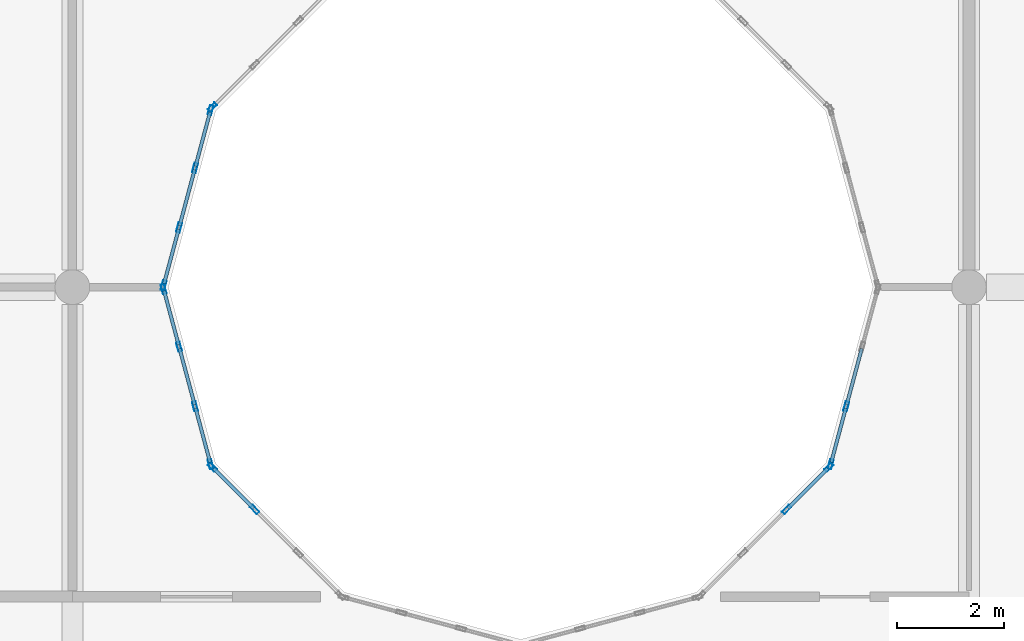
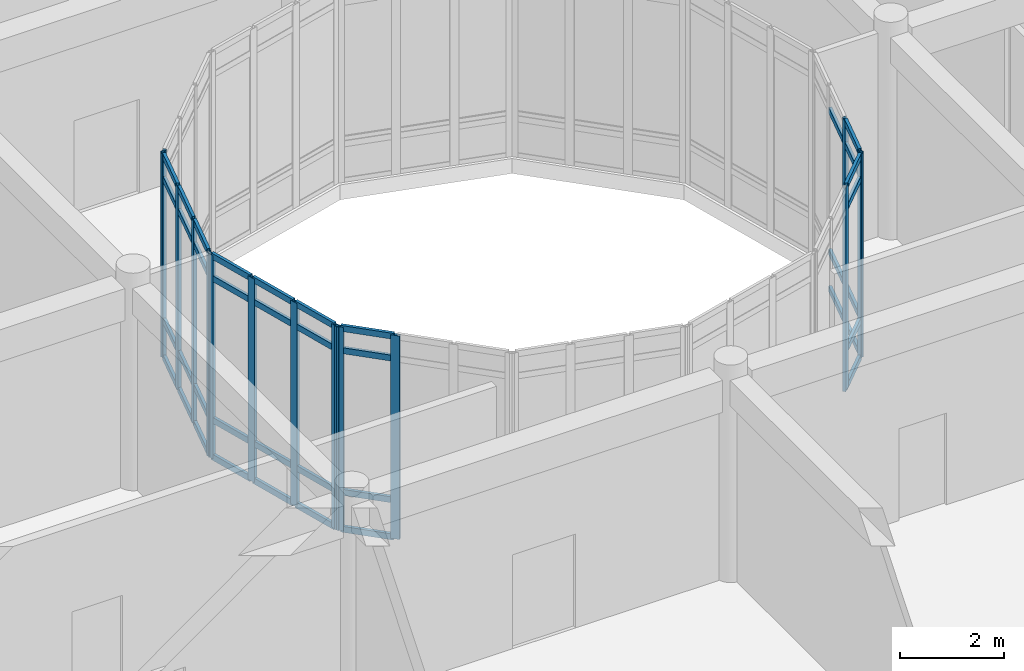
# One storey, part 32 of 134: 54 members, 6 elements without a shape of their own.
"""IFC4 building model written with IfcOpenShell, lengths in metres."""

from ifc_helpers import new_model, si_unit, direction, frame, origin, origin_2d, place, context, subcontext, project, spatial, hollow_rectangle, extrude, material, layer, layer_set, material_profile, profile_set, type_object, element, aggregate, save


model = new_model("IFC4")

# Units and contexts
model_context = context("Model", 3, precision=1e-05, world=origin(), true_north=direction((0.0, 1.0)))
body_context = subcontext(model_context, "Body", "Model", "MODEL_VIEW")
ifc_project = project(units=[si_unit("LENGTHUNIT", "METRE"), si_unit("AREAUNIT", "SQUARE_METRE"), si_unit("VOLUMEUNIT", "CUBIC_METRE"), si_unit("PLANEANGLEUNIT", "RADIAN"), si_unit("MASSUNIT", "GRAM", prefix="KILO")], contexts=[model_context])

# Site, building, storey
site_placement = place(None, origin())
site = spatial("IfcSite", under=ifc_project, at=site_placement, CompositionType="ELEMENT")
building_placement = place(site_placement, origin())
building = spatial("IfcBuilding", under=site, at=building_placement, Name="Bramfleet General Hospital", CompositionType="ELEMENT")
storey_placement = place(building_placement, frame((0.0, 0.0, 9.300048828125)))
storey = spatial("IfcBuildingStorey", under=building, at=storey_placement, Name="L02", CompositionType="ELEMENT", Elevation=9.300048828125)

# Curtain wall, members
ifc_material_1 = material(Name="Anodised aluminium and low-E triple glazing", Category="aluminium")
ifc_layer_1 = layer(ifc_material_1, 0.179931640625, Name="CWT-CW-13")
ifc_layer_set_1 = layer_set([ifc_layer_1], Name="Anodised aluminium and low-E triple glazing")
curtain_wall_type_1 = type_object("IfcCurtainWallType", Name="CWT-CW-13", PredefinedType="USERDEFINED", material=ifc_layer_set_1)
curtain_wall_1_placement = place(storey_placement, origin())
curtain_wall_1 = element("IfcCurtainWall", 1, at=curtain_wall_1_placement, inside=storey, type_object=curtain_wall_type_1, Name="L02 West Clinical Light Court Curtain Wall 1.1", ObjectType="Stick curtain wall", PredefinedType="USERDEFINED")
ifc_material_2 = material(Name="Anodised aluminium EN AW-6060", Category="aluminium")
ifc_material_profile_1 = material_profile(ifc_material_2, hollow_rectangle(XDim=0.070068359375, YDim=0.179931640625, WallThickness=0.00390625, at=origin_2d()), Name="ALU 180x70x4.0")
ifc_profile_set_1 = profile_set([ifc_material_profile_1], Name="Anodised aluminium EN AW-6060")
member_type_1 = type_object("IfcMemberType", Name="CWM-ALU180", PredefinedType="MULLION", material=ifc_profile_set_1)
member_1_placement = place(storey_placement, frame((18.509033203125, 83.96630859375, 0.0), z_axis=(0.0, 0.0, 1.0), x_axis=(0.965899136003, 0.25891863407, 0.0)))
member_1 = element("IfcMember", 2, at=member_1_placement, type_object=member_type_1, Name="CW-13 mullion 1", PredefinedType="MULLION", context=body_context, shape_type="SweptSolid", body=[
    extrude(hollow_rectangle(XDim=0.070068359375, YDim=0.179931640625, WallThickness=0.00390625, at=origin_2d()), origin(), (0.0, 0.0, 1.0), 4.77001953125),
])
member_2_placement = place(storey_placement, frame((18.79931640625, 82.88330078125, 0.0), z_axis=(0.0, 0.0, 1.0), x_axis=(0.965899136003, 0.25891863407, 0.0)))
member_2 = element("IfcMember", 3, at=member_2_placement, type_object=member_type_1, Name="CW-13 mullion 2", PredefinedType="MULLION", context=body_context, shape_type="SweptSolid", body=[
    extrude(hollow_rectangle(XDim=0.070068359375, YDim=0.179931640625, WallThickness=0.00390625, at=origin_2d()), origin(), (0.0, 0.0, 1.0), 4.77001953125),
])
member_3_placement = place(storey_placement, frame((19.0986328125, 81.7666015625, 0.0), z_axis=(0.0, 0.0, 1.0), x_axis=(0.965899136003, 0.25891863407, 0.0)))
member_3 = element("IfcMember", 4, at=member_3_placement, type_object=member_type_1, Name="CW-13 mullion 3", PredefinedType="MULLION", context=body_context, shape_type="SweptSolid", body=[
    extrude(hollow_rectangle(XDim=0.070068359375, YDim=0.179931640625, WallThickness=0.00390625, at=origin_2d()), origin(), (0.0, 0.0, 1.0), 4.77001953125),
])
member_4_placement = place(storey_placement, frame((19.388916015625, 80.683837890625, 0.0), z_axis=(0.0, 0.0, 1.0), x_axis=(0.965899136003, 0.25891863407, 0.0)))
member_4 = element("IfcMember", 5, at=member_4_placement, type_object=member_type_1, Name="CW-13 mullion 4", PredefinedType="MULLION", context=body_context, shape_type="SweptSolid", body=[
    extrude(hollow_rectangle(XDim=0.070068359375, YDim=0.179931640625, WallThickness=0.00390625, at=origin_2d()), origin(), (0.0, 0.0, 1.0), 4.77001953125),
])

ifc_layer_2 = layer(ifc_material_1, 0.179931640625, Name="CWT-CW-14")
ifc_layer_set_2 = layer_set([ifc_layer_2], Name="Anodised aluminium and low-E triple glazing")
curtain_wall_type_2 = type_object("IfcCurtainWallType", Name="CWT-CW-14", PredefinedType="USERDEFINED", material=ifc_layer_set_2)
curtain_wall_2_placement = place(storey_placement, origin())
curtain_wall_2 = element("IfcCurtainWall", 6, at=curtain_wall_2_placement, inside=storey, type_object=curtain_wall_type_2, Name="L02 West Clinical Light Court Curtain Wall 2.1", ObjectType="Stick curtain wall", PredefinedType="USERDEFINED")
member_5_placement = place(storey_placement, frame((19.4228515625, 80.625244140625, 0.0), z_axis=(0.0, 0.0, 1.0), x_axis=(0.707106781187, 0.707106781187, 0.0)))
member_5 = element("IfcMember", 7, at=member_5_placement, type_object=member_type_1, Name="CW-14 mullion 1", PredefinedType="MULLION", context=body_context, shape_type="SweptSolid", body=[
    extrude(hollow_rectangle(XDim=0.070068359375, YDim=0.179931640625, WallThickness=0.00390625, at=origin_2d()), origin(), (0.0, 0.0, 1.0), 4.77001953125),
])
member_6_placement = place(storey_placement, frame((20.21533203125, 79.832763671875, 0.0), z_axis=(0.0, 0.0, 1.0), x_axis=(0.707106781187, 0.707106781187, 0.0)))
member_6 = element("IfcMember", 8, at=member_6_placement, type_object=member_type_1, Name="CW-14 mullion 2", PredefinedType="MULLION", context=body_context, shape_type="SweptSolid", body=[
    extrude(hollow_rectangle(XDim=0.070068359375, YDim=0.179931640625, WallThickness=0.00390625, at=origin_2d()), origin(), (0.0, 0.0, 1.0), 4.77001953125),
])

ifc_layer_3 = layer(ifc_material_1, 0.179931640625, Name="CWT-CW-17")
ifc_layer_set_3 = layer_set([ifc_layer_3], Name="Anodised aluminium and low-E triple glazing")
curtain_wall_type_3 = type_object("IfcCurtainWallType", Name="CWT-CW-17", PredefinedType="USERDEFINED", material=ifc_layer_set_3)
curtain_wall_3_placement = place(storey_placement, origin())
curtain_wall_3 = element("IfcCurtainWall", 9, at=curtain_wall_3_placement, inside=storey, type_object=curtain_wall_type_3, Name="L02 West Clinical Light Court Curtain Wall 5.1", ObjectType="Stick curtain wall", PredefinedType="USERDEFINED")
member_7_placement = place(storey_placement, frame((30.1845703125, 79.832763671875, 0.0), z_axis=(0.0, 0.0, 1.0), x_axis=(-0.707106781187, 0.707106781187, 0.0)))
member_7 = element("IfcMember", 10, at=member_7_placement, type_object=member_type_1, Name="CW-17 mullion 3", PredefinedType="MULLION", context=body_context, shape_type="SweptSolid", body=[
    extrude(hollow_rectangle(XDim=0.070068359375, YDim=0.179931640625, WallThickness=0.00390625, at=origin_2d()), origin(), (0.0, 0.0, 1.0), 4.77001953125),
])
member_8_placement = place(storey_placement, frame((30.977294921875, 80.625244140625, 0.0), z_axis=(0.0, 0.0, 1.0), x_axis=(-0.707106781187, 0.707106781187, 0.0)))
member_8 = element("IfcMember", 11, at=member_8_placement, type_object=member_type_1, Name="CW-17 mullion 4", PredefinedType="MULLION", context=body_context, shape_type="SweptSolid", body=[
    extrude(hollow_rectangle(XDim=0.070068359375, YDim=0.179931640625, WallThickness=0.00390625, at=origin_2d()), origin(), (0.0, 0.0, 1.0), 4.77001953125),
])

ifc_layer_4 = layer(ifc_material_1, 0.179931640625, Name="CWT-CW-18")
ifc_layer_set_4 = layer_set([ifc_layer_4], Name="Anodised aluminium and low-E triple glazing")
curtain_wall_type_4 = type_object("IfcCurtainWallType", Name="CWT-CW-18", PredefinedType="USERDEFINED", material=ifc_layer_set_4)
curtain_wall_4_placement = place(storey_placement, origin())
curtain_wall_4 = element("IfcCurtainWall", 12, at=curtain_wall_4_placement, inside=storey, type_object=curtain_wall_type_4, Name="L02 West Clinical Light Court Curtain Wall 6.1", ObjectType="Stick curtain wall", PredefinedType="USERDEFINED")
member_9_placement = place(storey_placement, frame((31.010986328125, 80.683837890625, 0.0), z_axis=(0.0, 0.0, 1.0), x_axis=(-0.965899136003, 0.25891863407, 0.0)))
member_9 = element("IfcMember", 13, at=member_9_placement, type_object=member_type_1, Name="CW-18 mullion 1", PredefinedType="MULLION", context=body_context, shape_type="SweptSolid", body=[
    extrude(hollow_rectangle(XDim=0.070068359375, YDim=0.179931640625, WallThickness=0.00390625, at=origin_2d()), origin(), (0.0, 0.0, 1.0), 4.77001953125),
])
member_10_placement = place(storey_placement, frame((31.30126953125, 81.7666015625, 0.0), z_axis=(0.0, 0.0, 1.0), x_axis=(-0.965899136003, 0.25891863407, 0.0)))
member_10 = element("IfcMember", 14, at=member_10_placement, type_object=member_type_1, Name="CW-18 mullion 2", PredefinedType="MULLION", context=body_context, shape_type="SweptSolid", body=[
    extrude(hollow_rectangle(XDim=0.070068359375, YDim=0.179931640625, WallThickness=0.00390625, at=origin_2d()), origin(), (0.0, 0.0, 1.0), 4.77001953125),
])

# Curtain wall, member
ifc_layer_5 = layer(ifc_material_1, 0.179931640625, Name="CWT-CW-15")
ifc_layer_set_5 = layer_set([ifc_layer_5], Name="Anodised aluminium and low-E triple glazing")
curtain_wall_type_5 = type_object("IfcCurtainWallType", Name="CWT-CW-15", PredefinedType="USERDEFINED", material=ifc_layer_set_5)
curtain_wall_5_placement = place(storey_placement, origin())
curtain_wall_5 = element("IfcCurtainWall", 15, at=curtain_wall_5_placement, inside=storey, type_object=curtain_wall_type_5, Name="L02 West Clinical Light Court Curtain Wall 11.1", ObjectType="Stick curtain wall", PredefinedType="USERDEFINED")
member_11_placement = place(storey_placement, frame((19.4228515625, 87.374755859375, 0.0), z_axis=(0.0, 0.0, 1.0), x_axis=(0.707106781187, -0.707106781187, 0.0)))
member_11 = element("IfcMember", 16, at=member_11_placement, type_object=member_type_1, Name="CW-15 mullion 4", PredefinedType="MULLION", context=body_context, shape_type="SweptSolid", body=[
    extrude(hollow_rectangle(XDim=0.070068359375, YDim=0.179931640625, WallThickness=0.00390625, at=origin_2d()), origin(), (0.0, 0.0, 1.0), 4.77001953125),
])
aggregate(curtain_wall_5, [member_11])

# Curtain wall, members
ifc_layer_6 = layer(ifc_material_1, 0.179931640625, Name="CWT-CW-16")
ifc_layer_set_6 = layer_set([ifc_layer_6], Name="Anodised aluminium and low-E triple glazing")
curtain_wall_type_6 = type_object("IfcCurtainWallType", Name="CWT-CW-16", PredefinedType="USERDEFINED", material=ifc_layer_set_6)
curtain_wall_6_placement = place(storey_placement, origin())
curtain_wall_6 = element("IfcCurtainWall", 17, at=curtain_wall_6_placement, inside=storey, type_object=curtain_wall_type_6, Name="L02 West Clinical Light Court Curtain Wall 12.1", ObjectType="Stick curtain wall", PredefinedType="USERDEFINED")
member_12_placement = place(storey_placement, frame((19.388916015625, 87.316162109375, 0.0), z_axis=(0.0, 0.0, 1.0), x_axis=(0.965899136003, -0.25891863407, 0.0)))
member_12 = element("IfcMember", 18, at=member_12_placement, type_object=member_type_1, Name="CW-16 mullion 1", PredefinedType="MULLION", context=body_context, shape_type="SweptSolid", body=[
    extrude(hollow_rectangle(XDim=0.070068359375, YDim=0.179931640625, WallThickness=0.00390625, at=origin_2d()), origin(), (0.0, 0.0, 1.0), 4.77001953125),
])
member_13_placement = place(storey_placement, frame((19.0986328125, 86.2333984375, 0.0), z_axis=(0.0, 0.0, 1.0), x_axis=(0.965899136003, -0.25891863407, 0.0)))
member_13 = element("IfcMember", 19, at=member_13_placement, type_object=member_type_1, Name="CW-16 mullion 2", PredefinedType="MULLION", context=body_context, shape_type="SweptSolid", body=[
    extrude(hollow_rectangle(XDim=0.070068359375, YDim=0.179931640625, WallThickness=0.00390625, at=origin_2d()), origin(), (0.0, 0.0, 1.0), 4.77001953125),
])
member_14_placement = place(storey_placement, frame((18.79931640625, 85.11669921875, 0.0), z_axis=(0.0, 0.0, 1.0), x_axis=(0.965899136003, -0.25891863407, 0.0)))
member_14 = element("IfcMember", 20, at=member_14_placement, type_object=member_type_1, Name="CW-16 mullion 3", PredefinedType="MULLION", context=body_context, shape_type="SweptSolid", body=[
    extrude(hollow_rectangle(XDim=0.070068359375, YDim=0.179931640625, WallThickness=0.00390625, at=origin_2d()), origin(), (0.0, 0.0, 1.0), 4.77001953125),
])
member_15_placement = place(storey_placement, frame((18.509033203125, 84.03369140625, 0.0), z_axis=(0.0, 0.0, 1.0), x_axis=(0.965899136003, -0.25891863407, 0.0)))
member_15 = element("IfcMember", 21, at=member_15_placement, type_object=member_type_1, Name="CW-16 mullion 4", PredefinedType="MULLION", context=body_context, shape_type="SweptSolid", body=[
    extrude(hollow_rectangle(XDim=0.070068359375, YDim=0.179931640625, WallThickness=0.00390625, at=origin_2d()), origin(), (0.0, 0.0, 1.0), 4.77001953125),
])

# Member
ifc_material_profile_2 = material_profile(ifc_material_2, hollow_rectangle(XDim=0.06494140625, YDim=0.139892578125, WallThickness=0.00390625, at=origin_2d()), Name="ALU 140x65x4.0")
ifc_profile_set_2 = profile_set([ifc_material_profile_2], Name="Anodised aluminium EN AW-6060")
member_type_2 = type_object("IfcMemberType", Name="CWT-ALU140", PredefinedType="USERDEFINED", material=ifc_profile_set_2)
member_16_placement = place(storey_placement, frame((18.51806640625, 83.932373046875, 0.032470703125), z_axis=(0.259007003236, -0.965875443458, 0.0), x_axis=(0.965875443458, 0.259007003236, 0.0)))
member_16 = element("IfcMember", 22, at=member_16_placement, type_object=member_type_2, Name="CW-13 transom 1.1", ObjectType="TRANSOM", PredefinedType="USERDEFINED", context=body_context, shape_type="SweptSolid", body=[
    extrude(hollow_rectangle(XDim=0.06494140625, YDim=0.139892578125, WallThickness=0.00390625, at=origin_2d()), origin(), (0.0, 0.0, 1.0), 1.051025390625),
])

member_17_placement = place(storey_placement, frame((18.51806640625, 83.932373046875, 0.89990234375), z_axis=(0.259007003236, -0.965875443458, 0.0), x_axis=(0.965875443458, 0.259007003236, 0.0)))
member_17 = element("IfcMember", 23, at=member_17_placement, type_object=member_type_2, Name="CW-13 transom 1.2", ObjectType="TRANSOM", PredefinedType="USERDEFINED", context=body_context, shape_type="SweptSolid", body=[
    extrude(hollow_rectangle(XDim=0.06494140625, YDim=0.139892578125, WallThickness=0.00390625, at=origin_2d()), origin(), (0.0, 0.0, 1.0), 1.051025390625),
])

member_18_placement = place(storey_placement, frame((18.51806640625, 83.932373046875, 4.219970703125), z_axis=(0.259007003236, -0.965875443458, 0.0), x_axis=(0.965875443458, 0.259007003236, 0.0)))
member_18 = element("IfcMember", 24, at=member_18_placement, type_object=member_type_2, Name="CW-13 transom 1.3", ObjectType="TRANSOM", PredefinedType="USERDEFINED", context=body_context, shape_type="SweptSolid", body=[
    extrude(hollow_rectangle(XDim=0.06494140625, YDim=0.139892578125, WallThickness=0.00390625, at=origin_2d()), origin(), (0.0, 0.0, 1.0), 1.051025390625),
])

member_19_placement = place(storey_placement, frame((18.51806640625, 83.932373046875, 4.737548828125), z_axis=(0.259007003236, -0.965875443458, 0.0), x_axis=(0.965875443458, 0.259007003236, 0.0)))
member_19 = element("IfcMember", 25, at=member_19_placement, type_object=member_type_2, Name="CW-13 transom 1.4", ObjectType="TRANSOM", PredefinedType="USERDEFINED", context=body_context, shape_type="SweptSolid", body=[
    extrude(hollow_rectangle(XDim=0.06494140625, YDim=0.139892578125, WallThickness=0.00390625, at=origin_2d()), origin(), (0.0, 0.0, 1.0), 1.051025390625),
])

member_20_placement = place(storey_placement, frame((18.808349609375, 82.849609375, 0.032470703125), z_axis=(0.258949558843, -0.965890845787, 0.0), x_axis=(0.965890845787, 0.258949558843, 0.0)))
member_20 = element("IfcMember", 26, at=member_20_placement, type_object=member_type_2, Name="CW-13 transom 2.1", ObjectType="TRANSOM", PredefinedType="USERDEFINED", context=body_context, shape_type="SweptSolid", body=[
    extrude(hollow_rectangle(XDim=0.06494140625, YDim=0.139892578125, WallThickness=0.00390625, at=origin_2d()), origin(), (0.0, 0.0, 1.0), 1.086181640625),
])

member_21_placement = place(storey_placement, frame((18.808349609375, 82.849609375, 0.89990234375), z_axis=(0.258949558843, -0.965890845787, 0.0), x_axis=(0.965890845787, 0.258949558843, 0.0)))
member_21 = element("IfcMember", 27, at=member_21_placement, type_object=member_type_2, Name="CW-13 transom 2.2", ObjectType="TRANSOM", PredefinedType="USERDEFINED", context=body_context, shape_type="SweptSolid", body=[
    extrude(hollow_rectangle(XDim=0.06494140625, YDim=0.139892578125, WallThickness=0.00390625, at=origin_2d()), origin(), (0.0, 0.0, 1.0), 1.086181640625),
])

member_22_placement = place(storey_placement, frame((18.808349609375, 82.849609375, 4.219970703125), z_axis=(0.258949558843, -0.965890845787, 0.0), x_axis=(0.965890845787, 0.258949558843, 0.0)))
member_22 = element("IfcMember", 28, at=member_22_placement, type_object=member_type_2, Name="CW-13 transom 2.3", ObjectType="TRANSOM", PredefinedType="USERDEFINED", context=body_context, shape_type="SweptSolid", body=[
    extrude(hollow_rectangle(XDim=0.06494140625, YDim=0.139892578125, WallThickness=0.00390625, at=origin_2d()), origin(), (0.0, 0.0, 1.0), 1.086181640625),
])

member_23_placement = place(storey_placement, frame((18.808349609375, 82.849609375, 4.737548828125), z_axis=(0.258949558843, -0.965890845787, 0.0), x_axis=(0.965890845787, 0.258949558843, 0.0)))
member_23 = element("IfcMember", 29, at=member_23_placement, type_object=member_type_2, Name="CW-13 transom 2.4", ObjectType="TRANSOM", PredefinedType="USERDEFINED", context=body_context, shape_type="SweptSolid", body=[
    extrude(hollow_rectangle(XDim=0.06494140625, YDim=0.139892578125, WallThickness=0.00390625, at=origin_2d()), origin(), (0.0, 0.0, 1.0), 1.086181640625),
])

member_24_placement = place(storey_placement, frame((19.107666015625, 81.73291015625, 0.032470703125), z_axis=(0.258948903342, -0.965891021523, 0.0), x_axis=(0.965891021523, 0.258948903342, 0.0)))
member_24 = element("IfcMember", 30, at=member_24_placement, type_object=member_type_2, Name="CW-13 transom 3.1", ObjectType="TRANSOM", PredefinedType="USERDEFINED", context=body_context, shape_type="SweptSolid", body=[
    extrude(hollow_rectangle(XDim=0.06494140625, YDim=0.139892578125, WallThickness=0.00390625, at=origin_2d()), origin(), (0.0, 0.0, 1.0), 1.05126953125),
])

member_25_placement = place(storey_placement, frame((19.107666015625, 81.73291015625, 0.89990234375), z_axis=(0.258948903342, -0.965891021523, 0.0), x_axis=(0.965891021523, 0.258948903342, 0.0)))
member_25 = element("IfcMember", 31, at=member_25_placement, type_object=member_type_2, Name="CW-13 transom 3.2", ObjectType="TRANSOM", PredefinedType="USERDEFINED", context=body_context, shape_type="SweptSolid", body=[
    extrude(hollow_rectangle(XDim=0.06494140625, YDim=0.139892578125, WallThickness=0.00390625, at=origin_2d()), origin(), (0.0, 0.0, 1.0), 1.05126953125),
])

member_26_placement = place(storey_placement, frame((19.107666015625, 81.73291015625, 4.219970703125), z_axis=(0.258948903342, -0.965891021523, 0.0), x_axis=(0.965891021523, 0.258948903342, 0.0)))
member_26 = element("IfcMember", 32, at=member_26_placement, type_object=member_type_2, Name="CW-13 transom 3.3", ObjectType="TRANSOM", PredefinedType="USERDEFINED", context=body_context, shape_type="SweptSolid", body=[
    extrude(hollow_rectangle(XDim=0.06494140625, YDim=0.139892578125, WallThickness=0.00390625, at=origin_2d()), origin(), (0.0, 0.0, 1.0), 1.05126953125),
])

member_27_placement = place(storey_placement, frame((19.107666015625, 81.73291015625, 4.737548828125), z_axis=(0.258948903342, -0.965891021523, 0.0), x_axis=(0.965891021523, 0.258948903342, 0.0)))
member_27 = element("IfcMember", 33, at=member_27_placement, type_object=member_type_2, Name="CW-13 transom 3.4", ObjectType="TRANSOM", PredefinedType="USERDEFINED", context=body_context, shape_type="SweptSolid", body=[
    extrude(hollow_rectangle(XDim=0.06494140625, YDim=0.139892578125, WallThickness=0.00390625, at=origin_2d()), origin(), (0.0, 0.0, 1.0), 1.05126953125),
])

aggregate(curtain_wall_1, [member_1, member_2, member_3, member_4, member_16, member_17, member_18, member_19, member_20, member_21, member_22, member_23, member_24, member_25, member_26, member_27])

member_28_placement = place(storey_placement, frame((19.447509765625, 80.6005859375, 0.032470703125), z_axis=(0.707106781187, -0.707106781187, 0.0), x_axis=(0.707106781187, 0.707106781187, 0.0)))
member_28 = element("IfcMember", 34, at=member_28_placement, type_object=member_type_2, Name="CW-14 transom 1.1", ObjectType="TRANSOM", PredefinedType="USERDEFINED", context=body_context, shape_type="SweptSolid", body=[
    extrude(hollow_rectangle(XDim=0.06494140625, YDim=0.139892578125, WallThickness=0.00390625, at=origin_2d()), origin(), (0.0, 0.0, 1.0), 1.051025390625),
])

member_29_placement = place(storey_placement, frame((19.447509765625, 80.6005859375, 0.89990234375), z_axis=(0.707106781187, -0.707106781187, 0.0), x_axis=(0.707106781187, 0.707106781187, 0.0)))
member_29 = element("IfcMember", 35, at=member_29_placement, type_object=member_type_2, Name="CW-14 transom 1.2", ObjectType="TRANSOM", PredefinedType="USERDEFINED", context=body_context, shape_type="SweptSolid", body=[
    extrude(hollow_rectangle(XDim=0.06494140625, YDim=0.139892578125, WallThickness=0.00390625, at=origin_2d()), origin(), (0.0, 0.0, 1.0), 1.051025390625),
])

member_30_placement = place(storey_placement, frame((19.447509765625, 80.6005859375, 4.219970703125), z_axis=(0.707106781187, -0.707106781187, 0.0), x_axis=(0.707106781187, 0.707106781187, 0.0)))
member_30 = element("IfcMember", 36, at=member_30_placement, type_object=member_type_2, Name="CW-14 transom 1.3", ObjectType="TRANSOM", PredefinedType="USERDEFINED", context=body_context, shape_type="SweptSolid", body=[
    extrude(hollow_rectangle(XDim=0.06494140625, YDim=0.139892578125, WallThickness=0.00390625, at=origin_2d()), origin(), (0.0, 0.0, 1.0), 1.051025390625),
])

member_31_placement = place(storey_placement, frame((19.447509765625, 80.6005859375, 4.737548828125), z_axis=(0.707106781187, -0.707106781187, 0.0), x_axis=(0.707106781187, 0.707106781187, 0.0)))
member_31 = element("IfcMember", 37, at=member_31_placement, type_object=member_type_2, Name="CW-14 transom 1.4", ObjectType="TRANSOM", PredefinedType="USERDEFINED", context=body_context, shape_type="SweptSolid", body=[
    extrude(hollow_rectangle(XDim=0.06494140625, YDim=0.139892578125, WallThickness=0.00390625, at=origin_2d()), origin(), (0.0, 0.0, 1.0), 1.051025390625),
])

aggregate(curtain_wall_2, [member_5, member_6, member_28, member_29, member_30, member_31])

member_32_placement = place(storey_placement, frame((30.20947265625, 79.857421875, 0.032470703125), z_axis=(0.706990604933, 0.707222938356, 0.0), x_axis=(-0.707222938356, 0.706990604933, 0.0)))
member_32 = element("IfcMember", 38, at=member_32_placement, type_object=member_type_2, Name="CW-17 transom 3.1", ObjectType="TRANSOM", PredefinedType="USERDEFINED", context=body_context, shape_type="SweptSolid", body=[
    extrude(hollow_rectangle(XDim=0.06494140625, YDim=0.139892578125, WallThickness=0.00390625, at=origin_2d()), origin(), (0.0, 0.0, 1.0), 1.05078125),
])

member_33_placement = place(storey_placement, frame((30.20947265625, 79.857421875, 0.89990234375), z_axis=(0.706990604933, 0.707222938356, 0.0), x_axis=(-0.707222938356, 0.706990604933, 0.0)))
member_33 = element("IfcMember", 39, at=member_33_placement, type_object=member_type_2, Name="CW-17 transom 3.2", ObjectType="TRANSOM", PredefinedType="USERDEFINED", context=body_context, shape_type="SweptSolid", body=[
    extrude(hollow_rectangle(XDim=0.06494140625, YDim=0.139892578125, WallThickness=0.00390625, at=origin_2d()), origin(), (0.0, 0.0, 1.0), 1.05078125),
])

member_34_placement = place(storey_placement, frame((30.20947265625, 79.857421875, 4.219970703125), z_axis=(0.706990604933, 0.707222938356, 0.0), x_axis=(-0.707222938356, 0.706990604933, 0.0)))
member_34 = element("IfcMember", 40, at=member_34_placement, type_object=member_type_2, Name="CW-17 transom 3.3", ObjectType="TRANSOM", PredefinedType="USERDEFINED", context=body_context, shape_type="SweptSolid", body=[
    extrude(hollow_rectangle(XDim=0.06494140625, YDim=0.139892578125, WallThickness=0.00390625, at=origin_2d()), origin(), (0.0, 0.0, 1.0), 1.05078125),
])

member_35_placement = place(storey_placement, frame((30.20947265625, 79.857421875, 4.737548828125), z_axis=(0.706990604933, 0.707222938356, 0.0), x_axis=(-0.707222938356, 0.706990604933, 0.0)))
member_35 = element("IfcMember", 41, at=member_35_placement, type_object=member_type_2, Name="CW-17 transom 3.4", ObjectType="TRANSOM", PredefinedType="USERDEFINED", context=body_context, shape_type="SweptSolid", body=[
    extrude(hollow_rectangle(XDim=0.06494140625, YDim=0.139892578125, WallThickness=0.00390625, at=origin_2d()), origin(), (0.0, 0.0, 1.0), 1.05078125),
])

aggregate(curtain_wall_3, [member_7, member_8, member_32, member_33, member_34, member_35])

member_36_placement = place(storey_placement, frame((31.02001953125, 80.717529296875, 0.032470703125), z_axis=(0.258948903342, 0.965891021523, 0.0), x_axis=(-0.965891021523, 0.258948903342, 0.0)))
member_36 = element("IfcMember", 42, at=member_36_placement, type_object=member_type_2, Name="CW-18 transom 1.1", ObjectType="TRANSOM", PredefinedType="USERDEFINED", context=body_context, shape_type="SweptSolid", body=[
    extrude(hollow_rectangle(XDim=0.06494140625, YDim=0.139892578125, WallThickness=0.00390625, at=origin_2d()), origin(), (0.0, 0.0, 1.0), 1.05126953125),
])

member_37_placement = place(storey_placement, frame((31.02001953125, 80.717529296875, 0.89990234375), z_axis=(0.258948903342, 0.965891021523, 0.0), x_axis=(-0.965891021523, 0.258948903342, 0.0)))
member_37 = element("IfcMember", 43, at=member_37_placement, type_object=member_type_2, Name="CW-18 transom 1.2", ObjectType="TRANSOM", PredefinedType="USERDEFINED", context=body_context, shape_type="SweptSolid", body=[
    extrude(hollow_rectangle(XDim=0.06494140625, YDim=0.139892578125, WallThickness=0.00390625, at=origin_2d()), origin(), (0.0, 0.0, 1.0), 1.05126953125),
])

member_38_placement = place(storey_placement, frame((31.02001953125, 80.717529296875, 4.219970703125), z_axis=(0.258948903342, 0.965891021523, 0.0), x_axis=(-0.965891021523, 0.258948903342, 0.0)))
member_38 = element("IfcMember", 44, at=member_38_placement, type_object=member_type_2, Name="CW-18 transom 1.3", ObjectType="TRANSOM", PredefinedType="USERDEFINED", context=body_context, shape_type="SweptSolid", body=[
    extrude(hollow_rectangle(XDim=0.06494140625, YDim=0.139892578125, WallThickness=0.00390625, at=origin_2d()), origin(), (0.0, 0.0, 1.0), 1.05126953125),
])

member_39_placement = place(storey_placement, frame((31.02001953125, 80.717529296875, 4.737548828125), z_axis=(0.258948903342, 0.965891021523, 0.0), x_axis=(-0.965891021523, 0.258948903342, 0.0)))
member_39 = element("IfcMember", 45, at=member_39_placement, type_object=member_type_2, Name="CW-18 transom 1.4", ObjectType="TRANSOM", PredefinedType="USERDEFINED", context=body_context, shape_type="SweptSolid", body=[
    extrude(hollow_rectangle(XDim=0.06494140625, YDim=0.139892578125, WallThickness=0.00390625, at=origin_2d()), origin(), (0.0, 0.0, 1.0), 1.05126953125),
])

member_40_placement = place(storey_placement, frame((31.310302734375, 81.800537109375, 0.032470703125), z_axis=(0.258949558843, 0.965890845787, 0.0), x_axis=(-0.965890845787, 0.258949558843, 0.0)))
member_40 = element("IfcMember", 46, at=member_40_placement, type_object=member_type_2, Name="CW-18 transom 2.1", ObjectType="TRANSOM", PredefinedType="USERDEFINED", context=body_context, shape_type="SweptSolid", body=[
    extrude(hollow_rectangle(XDim=0.06494140625, YDim=0.139892578125, WallThickness=0.00390625, at=origin_2d()), origin(), (0.0, 0.0, 1.0), 1.086181640625),
])

member_41_placement = place(storey_placement, frame((31.310302734375, 81.800537109375, 0.89990234375), z_axis=(0.258949558843, 0.965890845787, 0.0), x_axis=(-0.965890845787, 0.258949558843, 0.0)))
member_41 = element("IfcMember", 47, at=member_41_placement, type_object=member_type_2, Name="CW-18 transom 2.2", ObjectType="TRANSOM", PredefinedType="USERDEFINED", context=body_context, shape_type="SweptSolid", body=[
    extrude(hollow_rectangle(XDim=0.06494140625, YDim=0.139892578125, WallThickness=0.00390625, at=origin_2d()), origin(), (0.0, 0.0, 1.0), 1.086181640625),
])

member_42_placement = place(storey_placement, frame((31.310302734375, 81.800537109375, 4.219970703125), z_axis=(0.258949558843, 0.965890845787, 0.0), x_axis=(-0.965890845787, 0.258949558843, 0.0)))
member_42 = element("IfcMember", 48, at=member_42_placement, type_object=member_type_2, Name="CW-18 transom 2.3", ObjectType="TRANSOM", PredefinedType="USERDEFINED", context=body_context, shape_type="SweptSolid", body=[
    extrude(hollow_rectangle(XDim=0.06494140625, YDim=0.139892578125, WallThickness=0.00390625, at=origin_2d()), origin(), (0.0, 0.0, 1.0), 1.086181640625),
])

aggregate(curtain_wall_4, [member_9, member_10, member_36, member_37, member_38, member_39, member_40, member_41, member_42])

member_43_placement = place(storey_placement, frame((19.3798828125, 87.282470703125, 0.032470703125), z_axis=(-0.258948903342, -0.965891021523, 0.0), x_axis=(0.965891021523, -0.258948903342, 0.0)))
member_43 = element("IfcMember", 49, at=member_43_placement, type_object=member_type_2, Name="CW-16 transom 1.1", ObjectType="TRANSOM", PredefinedType="USERDEFINED", context=body_context, shape_type="SweptSolid", body=[
    extrude(hollow_rectangle(XDim=0.06494140625, YDim=0.139892578125, WallThickness=0.00390625, at=origin_2d()), origin(), (0.0, 0.0, 1.0), 1.05126953125),
])

member_44_placement = place(storey_placement, frame((19.3798828125, 87.282470703125, 0.89990234375), z_axis=(-0.258948903342, -0.965891021523, 0.0), x_axis=(0.965891021523, -0.258948903342, 0.0)))
member_44 = element("IfcMember", 50, at=member_44_placement, type_object=member_type_2, Name="CW-16 transom 1.2", ObjectType="TRANSOM", PredefinedType="USERDEFINED", context=body_context, shape_type="SweptSolid", body=[
    extrude(hollow_rectangle(XDim=0.06494140625, YDim=0.139892578125, WallThickness=0.00390625, at=origin_2d()), origin(), (0.0, 0.0, 1.0), 1.05126953125),
])

member_45_placement = place(storey_placement, frame((19.3798828125, 87.282470703125, 4.219970703125), z_axis=(-0.258948903342, -0.965891021523, 0.0), x_axis=(0.965891021523, -0.258948903342, 0.0)))
member_45 = element("IfcMember", 51, at=member_45_placement, type_object=member_type_2, Name="CW-16 transom 1.3", ObjectType="TRANSOM", PredefinedType="USERDEFINED", context=body_context, shape_type="SweptSolid", body=[
    extrude(hollow_rectangle(XDim=0.06494140625, YDim=0.139892578125, WallThickness=0.00390625, at=origin_2d()), origin(), (0.0, 0.0, 1.0), 1.05126953125),
])

member_46_placement = place(storey_placement, frame((19.3798828125, 87.282470703125, 4.737548828125), z_axis=(-0.258948903342, -0.965891021523, 0.0), x_axis=(0.965891021523, -0.258948903342, 0.0)))
member_46 = element("IfcMember", 52, at=member_46_placement, type_object=member_type_2, Name="CW-16 transom 1.4", ObjectType="TRANSOM", PredefinedType="USERDEFINED", context=body_context, shape_type="SweptSolid", body=[
    extrude(hollow_rectangle(XDim=0.06494140625, YDim=0.139892578125, WallThickness=0.00390625, at=origin_2d()), origin(), (0.0, 0.0, 1.0), 1.05126953125),
])

member_47_placement = place(storey_placement, frame((19.089599609375, 86.199462890625, 0.032470703125), z_axis=(-0.258949558843, -0.965890845787, 0.0), x_axis=(0.965890845787, -0.258949558843, 0.0)))
member_47 = element("IfcMember", 53, at=member_47_placement, type_object=member_type_2, Name="CW-16 transom 2.1", ObjectType="TRANSOM", PredefinedType="USERDEFINED", context=body_context, shape_type="SweptSolid", body=[
    extrude(hollow_rectangle(XDim=0.06494140625, YDim=0.139892578125, WallThickness=0.00390625, at=origin_2d()), origin(), (0.0, 0.0, 1.0), 1.086181640625),
])

member_48_placement = place(storey_placement, frame((19.089599609375, 86.199462890625, 0.89990234375), z_axis=(-0.258949558843, -0.965890845787, 0.0), x_axis=(0.965890845787, -0.258949558843, 0.0)))
member_48 = element("IfcMember", 54, at=member_48_placement, type_object=member_type_2, Name="CW-16 transom 2.2", ObjectType="TRANSOM", PredefinedType="USERDEFINED", context=body_context, shape_type="SweptSolid", body=[
    extrude(hollow_rectangle(XDim=0.06494140625, YDim=0.139892578125, WallThickness=0.00390625, at=origin_2d()), origin(), (0.0, 0.0, 1.0), 1.086181640625),
])

member_49_placement = place(storey_placement, frame((19.089599609375, 86.199462890625, 4.219970703125), z_axis=(-0.258949558843, -0.965890845787, 0.0), x_axis=(0.965890845787, -0.258949558843, 0.0)))
member_49 = element("IfcMember", 55, at=member_49_placement, type_object=member_type_2, Name="CW-16 transom 2.3", ObjectType="TRANSOM", PredefinedType="USERDEFINED", context=body_context, shape_type="SweptSolid", body=[
    extrude(hollow_rectangle(XDim=0.06494140625, YDim=0.139892578125, WallThickness=0.00390625, at=origin_2d()), origin(), (0.0, 0.0, 1.0), 1.086181640625),
])

member_50_placement = place(storey_placement, frame((19.089599609375, 86.199462890625, 4.737548828125), z_axis=(-0.258949558843, -0.965890845787, 0.0), x_axis=(0.965890845787, -0.258949558843, 0.0)))
member_50 = element("IfcMember", 56, at=member_50_placement, type_object=member_type_2, Name="CW-16 transom 2.4", ObjectType="TRANSOM", PredefinedType="USERDEFINED", context=body_context, shape_type="SweptSolid", body=[
    extrude(hollow_rectangle(XDim=0.06494140625, YDim=0.139892578125, WallThickness=0.00390625, at=origin_2d()), origin(), (0.0, 0.0, 1.0), 1.086181640625),
])

member_51_placement = place(storey_placement, frame((18.790283203125, 85.082763671875, 0.032470703125), z_axis=(-0.259007003236, -0.965875443458, 0.0), x_axis=(0.965875443458, -0.259007003236, 0.0)))
member_51 = element("IfcMember", 57, at=member_51_placement, type_object=member_type_2, Name="CW-16 transom 3.1", ObjectType="TRANSOM", PredefinedType="USERDEFINED", context=body_context, shape_type="SweptSolid", body=[
    extrude(hollow_rectangle(XDim=0.06494140625, YDim=0.139892578125, WallThickness=0.00390625, at=origin_2d()), origin(), (0.0, 0.0, 1.0), 1.051025390625),
])

member_52_placement = place(storey_placement, frame((18.790283203125, 85.082763671875, 0.89990234375), z_axis=(-0.259007003236, -0.965875443458, 0.0), x_axis=(0.965875443458, -0.259007003236, 0.0)))
member_52 = element("IfcMember", 58, at=member_52_placement, type_object=member_type_2, Name="CW-16 transom 3.2", ObjectType="TRANSOM", PredefinedType="USERDEFINED", context=body_context, shape_type="SweptSolid", body=[
    extrude(hollow_rectangle(XDim=0.06494140625, YDim=0.139892578125, WallThickness=0.00390625, at=origin_2d()), origin(), (0.0, 0.0, 1.0), 1.051025390625),
])

member_53_placement = place(storey_placement, frame((18.790283203125, 85.082763671875, 4.219970703125), z_axis=(-0.259007003236, -0.965875443458, 0.0), x_axis=(0.965875443458, -0.259007003236, 0.0)))
member_53 = element("IfcMember", 59, at=member_53_placement, type_object=member_type_2, Name="CW-16 transom 3.3", ObjectType="TRANSOM", PredefinedType="USERDEFINED", context=body_context, shape_type="SweptSolid", body=[
    extrude(hollow_rectangle(XDim=0.06494140625, YDim=0.139892578125, WallThickness=0.00390625, at=origin_2d()), origin(), (0.0, 0.0, 1.0), 1.051025390625),
])

member_54_placement = place(storey_placement, frame((18.790283203125, 85.082763671875, 4.737548828125), z_axis=(-0.259007003236, -0.965875443458, 0.0), x_axis=(0.965875443458, -0.259007003236, 0.0)))
member_54 = element("IfcMember", 60, at=member_54_placement, type_object=member_type_2, Name="CW-16 transom 3.4", ObjectType="TRANSOM", PredefinedType="USERDEFINED", context=body_context, shape_type="SweptSolid", body=[
    extrude(hollow_rectangle(XDim=0.06494140625, YDim=0.139892578125, WallThickness=0.00390625, at=origin_2d()), origin(), (0.0, 0.0, 1.0), 1.051025390625),
])

aggregate(curtain_wall_6, [member_12, member_13, member_14, member_15, member_43, member_44, member_45, member_46, member_47, member_48, member_49, member_50, member_51, member_52, member_53, member_54])

save(model, "model.ifc")
